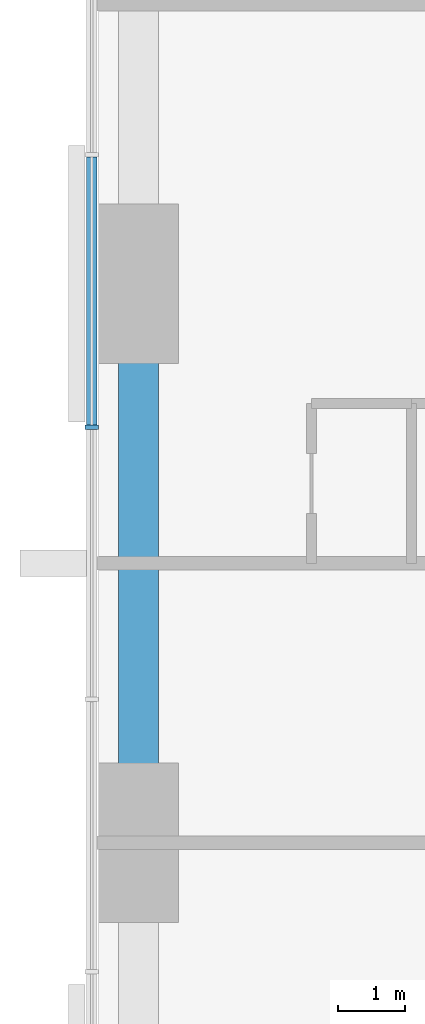
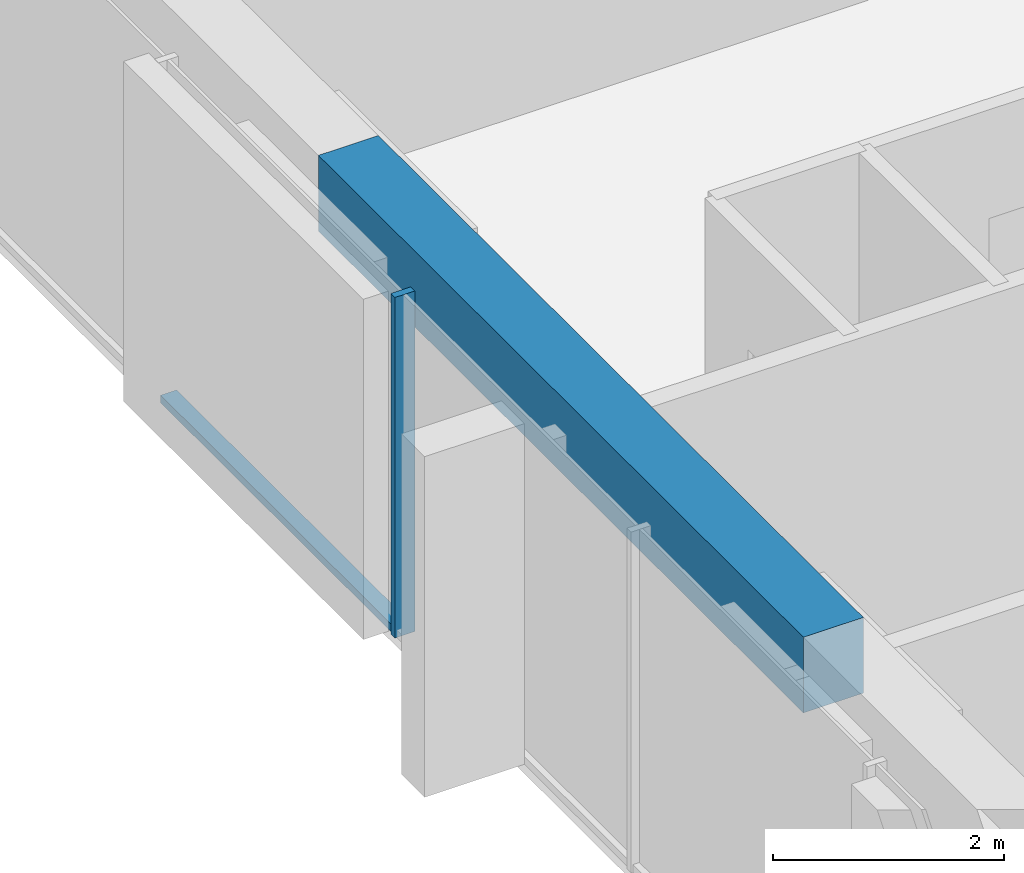
# One storey, part 3 of 14: 2 members, 1 beam, 1 element without a shape of its own.
"""IFC4 building model written with IfcOpenShell, lengths in metres."""

from ifc_helpers import new_model, si_unit, direction, frame, origin, origin_2d, place, context, subcontext, project, spatial, rectangle, extrude, material, material_profile, profile_set, type_object, element, aggregate, save


model = new_model("IFC4")

# Units and contexts
model_context = context("Model", 3, precision=1e-05, world=origin(), true_north=direction((0.0, 1.0)))
body_context = subcontext(model_context, "Body", "Model", "MODEL_VIEW")
ifc_project = project(units=[si_unit("LENGTHUNIT", "METRE"), si_unit("AREAUNIT", "SQUARE_METRE"), si_unit("VOLUMEUNIT", "CUBIC_METRE"), si_unit("PLANEANGLEUNIT", "RADIAN"), si_unit("MASSUNIT", "GRAM", prefix="KILO")], contexts=[model_context])

# Site, building, storey
site_placement = place(None, origin())
site = spatial("IfcSite", under=ifc_project, at=site_placement, CompositionType="ELEMENT")
building_placement = place(site_placement, origin())
building = spatial("IfcBuilding", under=site, at=building_placement, Name="Dunama Terrace Hotel", CompositionType="ELEMENT")
storey_placement = place(building_placement, frame((0.0, 0.0, 184.199951171875)))
storey = spatial("IfcBuildingStorey", under=building, at=storey_placement, Name="L47", CompositionType="ELEMENT", Elevation=184.199951171875)

# Curtain wall, members
ifc_material_1 = material(Name="Aluminium curtain wall system", Category="aluminium")
curtain_wall_type = type_object("IfcCurtainWallType", Name="Unitised fritted glass wall CW-C", PredefinedType="NOTDEFINED", material=ifc_material_1)
curtain_wall_placement = place(storey_placement, origin())
curtain_wall = element("IfcCurtainWall", 1, at=curtain_wall_placement, inside=storey, type_object=curtain_wall_type, Name="Unitised fritted glass wall CW-C L47", PredefinedType="NOTDEFINED")
ifc_material_2 = material(Name="Aluminium mullion", Category="aluminium")
ifc_material_profile_1 = material_profile(ifc_material_2, rectangle(XDim=0.070068359375, YDim=0.199951171875, at=origin_2d()), Name="CWC MULLION 70X200")
ifc_profile_set_1 = profile_set([ifc_material_profile_1], Name="Aluminium mullion")
member_type_1 = type_object("IfcMemberType", Name="CWC mullion 70x200", PredefinedType="MULLION", material=ifc_profile_set_1)
member_1_placement = place(storey_placement, frame((4.10009765625, 31.445068359375, 0.0), z_axis=(0.0, 0.0, 1.0), x_axis=(0.0, -1.0, 0.0)))
member_1 = element("IfcMember", 2, at=member_1_placement, type_object=member_type_1, Name="CWC mullion", PredefinedType="MULLION", context=body_context, shape_type="SweptSolid", body=[
    extrude(rectangle(XDim=0.070068359375, YDim=0.199951171875, at=origin_2d()), origin(), (0.0, 0.0, 1.0), 3.60009765625),
])
ifc_material_3 = material(Name="Aluminium transom", Category="aluminium")
ifc_material_profile_2 = material_profile(ifc_material_3, rectangle(XDim=0.159912109375, YDim=0.080078125, at=origin_2d()), Name="CWC TRANSOM 160X80")
ifc_profile_set_2 = profile_set([ifc_material_profile_2], Name="Aluminium transom")
member_type_2 = type_object("IfcMemberType", Name="CWC transom 160x80", PredefinedType="USERDEFINED", material=ifc_profile_set_2)
member_2_placement = place(storey_placement, frame((4.10009765625, 35.5009765625, 0.0400390625), z_axis=(0.0, -1.0, 0.0), x_axis=(1.0, 0.0, 0.0)))
member_2 = element("IfcMember", 3, at=member_2_placement, type_object=member_type_2, Name="CWC transom", ObjectType="TRANSOM", PredefinedType="USERDEFINED", context=body_context, shape_type="SweptSolid", body=[
    extrude(rectangle(XDim=0.159912109375, YDim=0.080078125, at=origin_2d()), origin(), (0.0, 0.0, 1.0), 4.02099609375),
])
aggregate(curtain_wall, [member_1, member_2])

# Beam
ifc_material_4 = material(Name="Concrete C40/50", Category="concrete")
ifc_material_profile_3 = material_profile(ifc_material_4, rectangle(XDim=0.60009765625, YDim=0.800048828125, at=origin_2d()), Name="RC 600x800")
ifc_profile_set_3 = profile_set([ifc_material_profile_3], Name="Concrete C40/50")
beam_type = type_object("IfcBeamType", Name="Edge beam RC 600x800", PredefinedType="SPANDREL", material=ifc_profile_set_3)
beam_placement = place(storey_placement, frame((4.800048828125, 25.199951171875, 3.199951171875), z_axis=(0.0, 1.0, 0.0), x_axis=(-1.0, 0.0, 0.0)))
element("IfcBeam", 4, at=beam_placement, inside=storey, type_object=beam_type, Name="Edge beam under L48", PredefinedType="SPANDREL", context=body_context, shape_type="SweptSolid", body=[
    extrude(rectangle(XDim=0.60009765625, YDim=0.800048828125, at=origin_2d()), origin(), (0.0, 0.0, 1.0), 8.400146484375),
])

save(model, "model.ifc")
